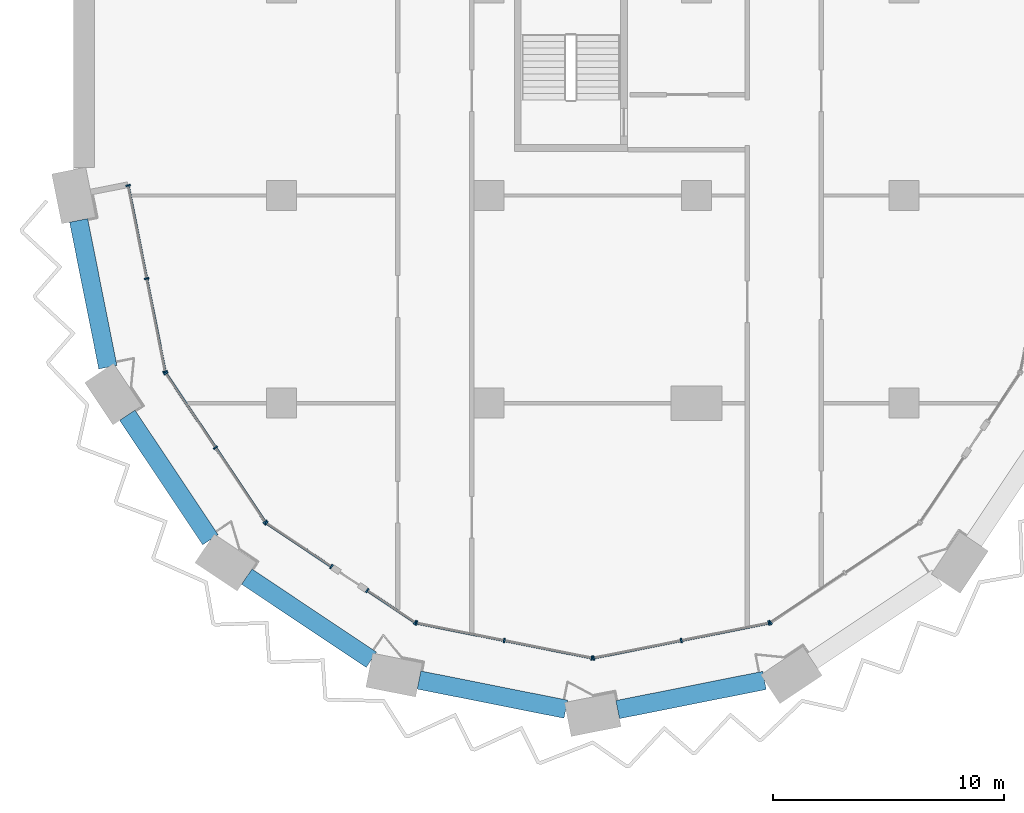
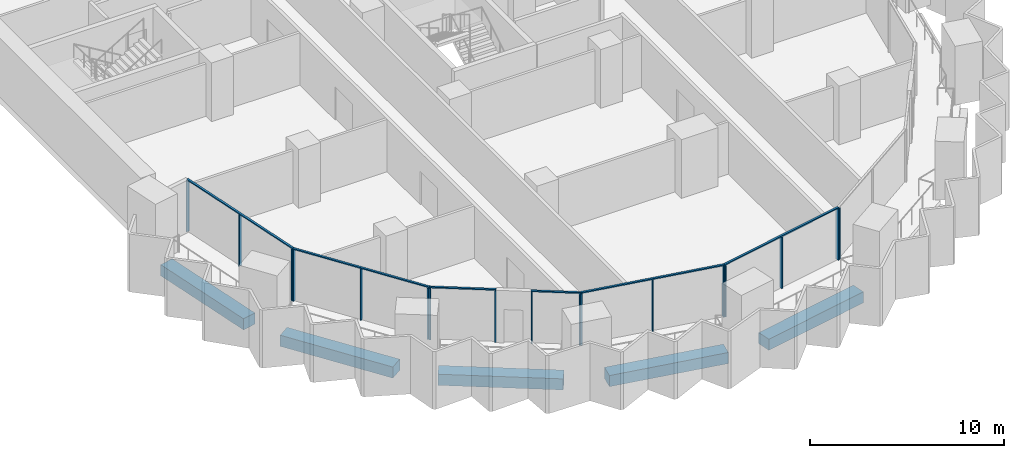
# One storey, part 2 of 22: 23 members, 5 beams, 7 elements without a shape of their own.
"""IFC4 building model written with IfcOpenShell, lengths in metres."""

from ifc_helpers import new_model, si_unit, direction, frame, origin, origin_2d, place, context, subcontext, project, spatial, rectangle, extrude, material, material_profile, profile_set, type_object, element, aggregate, save


model = new_model("IFC4")

# Units and contexts
model_context = context("Model", 3, precision=1e-05, world=origin(), true_north=direction((0.0, 1.0)))
body_context = subcontext(model_context, "Body", "Model", "MODEL_VIEW")
ifc_project = project(units=[si_unit("LENGTHUNIT", "METRE"), si_unit("AREAUNIT", "SQUARE_METRE"), si_unit("VOLUMEUNIT", "CUBIC_METRE"), si_unit("PLANEANGLEUNIT", "RADIAN"), si_unit("MASSUNIT", "GRAM", prefix="KILO")], contexts=[model_context])

# Site, building, storey
site_placement = place(None, origin())
site = spatial("IfcSite", under=ifc_project, at=site_placement, CompositionType="ELEMENT")
building_placement = place(site_placement, origin())
building = spatial("IfcBuilding", under=site, at=building_placement, Name="Hunhe Ridgeline Campus", CompositionType="ELEMENT")
storey_placement = place(building_placement, frame((0.0, 0.0, 114.39990234375)))
storey = spatial("IfcBuildingStorey", under=building, at=storey_placement, Name="L28", CompositionType="ELEMENT", Elevation=114.39990234375)

# Curtain wall, members
ifc_material_1 = material(Name="Aluminium 6063", Category="aluminium")
curtain_wall_type = type_object("IfcCurtainWallType", Name="Curtain wall CW-5", PredefinedType="NOTDEFINED", material=ifc_material_1)
curtain_wall_1_placement = place(storey_placement, origin())
curtain_wall_1 = element("IfcCurtainWall", 1, at=curtain_wall_1_placement, inside=storey, type_object=curtain_wall_type, Name="Curtain wall 01", PredefinedType="NOTDEFINED")
ifc_material_profile_1 = material_profile(ifc_material_1, rectangle(XDim=0.199951171875, YDim=0.070068359375, at=origin_2d()))
ifc_profile_set_1 = profile_set([ifc_material_profile_1], Name="Aluminium 6063")
member_type_1 = type_object("IfcMemberType", Name="CW-5 aluminium mullion", PredefinedType="MULLION", material=ifc_profile_set_1)
member_1_placement = place(storey_placement, frame((2.361572265625, 27.434326171875, 0.0), z_axis=(0.0, 0.0, 1.0), x_axis=(0.980784280831, 0.195095347137, 0.0)))
member_1 = element("IfcMember", 2, at=member_1_placement, type_object=member_type_1, Name="CW-5 mullion 1", PredefinedType="MULLION", context=body_context, shape_type="SweptSolid", body=[
    extrude(rectangle(XDim=0.199951171875, YDim=0.070068359375, at=origin_2d()), origin(), (0.0, 0.0, 1.0), 3.22998046875),
])
member_2_placement = place(storey_placement, frame((3.16455078125, 23.3974609375, 0.0), z_axis=(0.0, 0.0, 1.0), x_axis=(0.980784280831, 0.195095347137, 0.0)))
member_2 = element("IfcMember", 3, at=member_2_placement, type_object=member_type_1, Name="CW-5 mullion 2", PredefinedType="MULLION", context=body_context, shape_type="SweptSolid", body=[
    extrude(rectangle(XDim=0.199951171875, YDim=0.070068359375, at=origin_2d()), origin(), (0.0, 0.0, 1.0), 3.22998046875),
])
member_3_placement = place(storey_placement, frame((3.967529296875, 19.36083984375, 0.0), z_axis=(0.0, 0.0, 1.0), x_axis=(0.980784280831, 0.195095347137, 0.0)))
member_3 = element("IfcMember", 4, at=member_3_placement, type_object=member_type_1, Name="CW-5 mullion 3", PredefinedType="MULLION", context=body_context, shape_type="SweptSolid", body=[
    extrude(rectangle(XDim=0.199951171875, YDim=0.070068359375, at=origin_2d()), origin(), (0.0, 0.0, 1.0), 3.22998046875),
])

curtain_wall_2_placement = place(storey_placement, origin())
curtain_wall_2 = element("IfcCurtainWall", 5, at=curtain_wall_2_placement, inside=storey, type_object=curtain_wall_type, Name="Curtain wall 02", PredefinedType="NOTDEFINED")
member_4_placement = place(storey_placement, frame((3.993896484375, 19.29736328125, 0.0), z_axis=(0.0, 0.0, 1.0), x_axis=(0.831469584522, 0.555570274596, 0.0)))
member_4 = element("IfcMember", 6, at=member_4_placement, type_object=member_type_1, Name="CW-5 mullion 1", PredefinedType="MULLION", context=body_context, shape_type="SweptSolid", body=[
    extrude(rectangle(XDim=0.199951171875, YDim=0.070068359375, at=origin_2d()), origin(), (0.0, 0.0, 1.0), 3.22998046875),
])
member_5_placement = place(storey_placement, frame((6.147705078125, 16.07373046875, 0.0), z_axis=(0.0, 0.0, 1.0), x_axis=(0.831469584522, 0.555570274596, 0.0)))
member_5 = element("IfcMember", 7, at=member_5_placement, type_object=member_type_1, Name="CW-5 mullion 2", PredefinedType="MULLION", context=body_context, shape_type="SweptSolid", body=[
    extrude(rectangle(XDim=0.199951171875, YDim=0.070068359375, at=origin_2d()), origin(), (0.0, 0.0, 1.0), 3.22998046875),
])
member_6_placement = place(storey_placement, frame((8.3017578125, 12.850341796875, 0.0), z_axis=(0.0, 0.0, 1.0), x_axis=(0.831469584522, 0.555570274596, 0.0)))
member_6 = element("IfcMember", 8, at=member_6_placement, type_object=member_type_1, Name="CW-5 mullion 3", PredefinedType="MULLION", context=body_context, shape_type="SweptSolid", body=[
    extrude(rectangle(XDim=0.199951171875, YDim=0.070068359375, at=origin_2d()), origin(), (0.0, 0.0, 1.0), 3.22998046875),
])

curtain_wall_3_placement = place(storey_placement, origin())
curtain_wall_3 = element("IfcCurtainWall", 9, at=curtain_wall_3_placement, inside=storey, type_object=curtain_wall_type, Name="Curtain wall 03", PredefinedType="NOTDEFINED")
member_7_placement = place(storey_placement, frame((8.350341796875, 12.8017578125, 0.0), z_axis=(0.0, 0.0, 1.0), x_axis=(0.555570257501, 0.831469595944, 0.0)))
member_7 = element("IfcMember", 10, at=member_7_placement, type_object=member_type_1, Name="CW-5 mullion 1", PredefinedType="MULLION", context=body_context, shape_type="SweptSolid", body=[
    extrude(rectangle(XDim=0.199951171875, YDim=0.070068359375, at=origin_2d()), origin(), (0.0, 0.0, 1.0), 3.22998046875),
])
member_8_placement = place(storey_placement, frame((11.17041015625, 10.917236328125, 0.0), z_axis=(0.0, 0.0, 1.0), x_axis=(0.555570257501, 0.831469595944, 0.0)))
member_8 = element("IfcMember", 11, at=member_8_placement, type_object=member_type_1, Name="CW-5 mullion 2", PredefinedType="MULLION", context=body_context, shape_type="SweptSolid", body=[
    extrude(rectangle(XDim=0.199951171875, YDim=0.070068359375, at=origin_2d()), origin(), (0.0, 0.0, 1.0), 3.22998046875),
])

curtain_wall_4_placement = place(storey_placement, origin())
curtain_wall_4 = element("IfcCurtainWall", 12, at=curtain_wall_4_placement, inside=storey, type_object=curtain_wall_type, Name="Curtain wall 04", PredefinedType="NOTDEFINED")
member_9_placement = place(storey_placement, frame((12.725341796875, 9.87841796875, 0.0), z_axis=(0.0, 0.0, 1.0), x_axis=(0.555570385598, 0.831469510353, 0.0)))
member_9 = element("IfcMember", 13, at=member_9_placement, type_object=member_type_1, Name="CW-5 mullion 1", PredefinedType="MULLION", context=body_context, shape_type="SweptSolid", body=[
    extrude(rectangle(XDim=0.199951171875, YDim=0.070068359375, at=origin_2d()), origin(), (0.0, 0.0, 1.0), 3.22998046875),
])
member_10_placement = place(storey_placement, frame((14.79736328125, 8.493896484375, 0.0), z_axis=(0.0, 0.0, 1.0), x_axis=(0.555570385598, 0.831469510353, 0.0)))
member_10 = element("IfcMember", 14, at=member_10_placement, type_object=member_type_1, Name="CW-5 mullion 2", PredefinedType="MULLION", context=body_context, shape_type="SweptSolid", body=[
    extrude(rectangle(XDim=0.199951171875, YDim=0.070068359375, at=origin_2d()), origin(), (0.0, 0.0, 1.0), 3.22998046875),
])

curtain_wall_5_placement = place(storey_placement, origin())
curtain_wall_5 = element("IfcCurtainWall", 15, at=curtain_wall_5_placement, inside=storey, type_object=curtain_wall_type, Name="Curtain wall 05", PredefinedType="NOTDEFINED")
member_11_placement = place(storey_placement, frame((14.86083984375, 8.467529296875, 0.0), z_axis=(0.0, 0.0, 1.0), x_axis=(0.195090347539, 0.980785275326, 0.0)))
member_11 = element("IfcMember", 16, at=member_11_placement, type_object=member_type_1, Name="CW-5 mullion 1", PredefinedType="MULLION", context=body_context, shape_type="SweptSolid", body=[
    extrude(rectangle(XDim=0.199951171875, YDim=0.070068359375, at=origin_2d()), origin(), (0.0, 0.0, 1.0), 3.22998046875),
])
member_12_placement = place(storey_placement, frame((18.663330078125, 7.711181640625, 0.0), z_axis=(0.0, 0.0, 1.0), x_axis=(0.195090347539, 0.980785275326, 0.0)))
member_12 = element("IfcMember", 17, at=member_12_placement, type_object=member_type_1, Name="CW-5 mullion 2", PredefinedType="MULLION", context=body_context, shape_type="SweptSolid", body=[
    extrude(rectangle(XDim=0.199951171875, YDim=0.070068359375, at=origin_2d()), origin(), (0.0, 0.0, 1.0), 3.22998046875),
])
member_13_placement = place(storey_placement, frame((22.465576171875, 6.954833984375, 0.0), z_axis=(0.0, 0.0, 1.0), x_axis=(0.195090347539, 0.980785275326, 0.0)))
member_13 = element("IfcMember", 18, at=member_13_placement, type_object=member_type_1, Name="CW-5 mullion 3", PredefinedType="MULLION", context=body_context, shape_type="SweptSolid", body=[
    extrude(rectangle(XDim=0.199951171875, YDim=0.070068359375, at=origin_2d()), origin(), (0.0, 0.0, 1.0), 3.22998046875),
])

curtain_wall_6_placement = place(storey_placement, origin())
curtain_wall_6 = element("IfcCurtainWall", 19, at=curtain_wall_6_placement, inside=storey, type_object=curtain_wall_type, Name="Curtain wall 06", PredefinedType="NOTDEFINED")
member_14_placement = place(storey_placement, frame((22.534423828125, 6.954833984375, 0.0), z_axis=(0.0, 0.0, 1.0), x_axis=(-0.195090347539, 0.980785275326, 0.0)))
member_14 = element("IfcMember", 20, at=member_14_placement, type_object=member_type_1, Name="CW-5 mullion 1", PredefinedType="MULLION", context=body_context, shape_type="SweptSolid", body=[
    extrude(rectangle(XDim=0.199951171875, YDim=0.070068359375, at=origin_2d()), origin(), (0.0, 0.0, 1.0), 3.22998046875),
])
member_15_placement = place(storey_placement, frame((26.336669921875, 7.711181640625, 0.0), z_axis=(0.0, 0.0, 1.0), x_axis=(-0.195090347539, 0.980785275326, 0.0)))
member_15 = element("IfcMember", 21, at=member_15_placement, type_object=member_type_1, Name="CW-5 mullion 2", PredefinedType="MULLION", context=body_context, shape_type="SweptSolid", body=[
    extrude(rectangle(XDim=0.199951171875, YDim=0.070068359375, at=origin_2d()), origin(), (0.0, 0.0, 1.0), 3.22998046875),
])
member_16_placement = place(storey_placement, frame((30.13916015625, 8.467529296875, 0.0), z_axis=(0.0, 0.0, 1.0), x_axis=(-0.195090347539, 0.980785275326, 0.0)))
member_16 = element("IfcMember", 22, at=member_16_placement, type_object=member_type_1, Name="CW-5 mullion 3", PredefinedType="MULLION", context=body_context, shape_type="SweptSolid", body=[
    extrude(rectangle(XDim=0.199951171875, YDim=0.070068359375, at=origin_2d()), origin(), (0.0, 0.0, 1.0), 3.22998046875),
])

# Curtain wall, member
curtain_wall_7_placement = place(storey_placement, origin())
curtain_wall_7 = element("IfcCurtainWall", 23, at=curtain_wall_7_placement, inside=storey, type_object=curtain_wall_type, Name="Curtain wall 07", PredefinedType="NOTDEFINED")
member_17_placement = place(storey_placement, frame((30.20263671875, 8.493896484375, 0.0), z_axis=(0.0, 0.0, 1.0), x_axis=(-0.555570274596, 0.831469584522, 0.0)))
member_17 = element("IfcMember", 24, at=member_17_placement, type_object=member_type_1, Name="CW-5 mullion 1", PredefinedType="MULLION", context=body_context, shape_type="SweptSolid", body=[
    extrude(rectangle(XDim=0.199951171875, YDim=0.070068359375, at=origin_2d()), origin(), (0.0, 0.0, 1.0), 3.22998046875),
])
aggregate(curtain_wall_7, [member_17])

# Member
ifc_material_profile_2 = material_profile(ifc_material_1, rectangle(XDim=0.1201171875, YDim=0.070068359375, at=origin_2d()))
ifc_profile_set_2 = profile_set([ifc_material_profile_2], Name="Aluminium 6063")
member_type_2 = type_object("IfcMemberType", Name="CW-5 aluminium transom", PredefinedType="USERDEFINED", material=ifc_profile_set_2)
member_18_placement = place(storey_placement, frame((2.354736328125, 27.46875, 3.26513671875), z_axis=(0.195092405068, -0.980784866056, 0.0), x_axis=(0.980784866056, 0.195092405068, 0.0)))
member_18 = element("IfcMember", 25, at=member_18_placement, type_object=member_type_2, Name="CW-5 transom 1", ObjectType="TRANSOM", PredefinedType="USERDEFINED", context=body_context, shape_type="SweptSolid", body=[
    extrude(rectangle(XDim=0.1201171875, YDim=0.070068359375, at=origin_2d()), origin(), (0.0, 0.0, 1.0), 8.3017578125),
])

aggregate(curtain_wall_1, [member_18, member_1, member_2, member_3])

member_19_placement = place(storey_placement, frame((3.974365234375, 19.326416015625, 3.26513671875), z_axis=(0.5555640203, -0.831473763475, 0.0), x_axis=(0.831473763475, 0.5555640203, 0.0)))
member_19 = element("IfcMember", 26, at=member_19_placement, type_object=member_type_2, Name="CW-5 transom 1", ObjectType="TRANSOM", PredefinedType="USERDEFINED", context=body_context, shape_type="SweptSolid", body=[
    extrude(rectangle(XDim=0.1201171875, YDim=0.070068359375, at=origin_2d()), origin(), (0.0, 0.0, 1.0), 7.823974609375),
])

aggregate(curtain_wall_2, [member_19, member_4, member_5, member_6])

member_20_placement = place(storey_placement, frame((8.321044921875, 12.821044921875, 3.26513671875), z_axis=(0.831485714606, -0.555546133463, 0.0), x_axis=(0.555546133463, 0.831485714606, 0.0)))
member_20 = element("IfcMember", 27, at=member_20_placement, type_object=member_type_2, Name="CW-5 transom 1", ObjectType="TRANSOM", PredefinedType="USERDEFINED", context=body_context, shape_type="SweptSolid", body=[
    extrude(rectangle(XDim=0.1201171875, YDim=0.070068359375, at=origin_2d()), origin(), (0.0, 0.0, 1.0), 3.462158203125),
])

aggregate(curtain_wall_3, [member_20, member_7, member_8])

member_21_placement = place(storey_placement, frame((12.6962890625, 9.897705078125, 3.26513671875), z_axis=(0.831463388334, -0.555579547735, 0.0), x_axis=(0.555579547735, 0.831463388334, 0.0)))
member_21 = element("IfcMember", 28, at=member_21_placement, type_object=member_type_2, Name="CW-5 transom 1", ObjectType="TRANSOM", PredefinedType="USERDEFINED", context=body_context, shape_type="SweptSolid", body=[
    extrude(rectangle(XDim=0.1201171875, YDim=0.070068359375, at=origin_2d()), origin(), (0.0, 0.0, 1.0), 2.56201171875),
])

aggregate(curtain_wall_4, [member_21, member_9, member_10])

member_22_placement = place(storey_placement, frame((14.826416015625, 8.474365234375, 3.26513671875), z_axis=(0.980785367689, -0.195089883198, 0.0), x_axis=(0.195089883198, 0.980785367689, 0.0)))
member_22 = element("IfcMember", 29, at=member_22_placement, type_object=member_type_2, Name="CW-5 transom 1", ObjectType="TRANSOM", PredefinedType="USERDEFINED", context=body_context, shape_type="SweptSolid", body=[
    extrude(rectangle(XDim=0.1201171875, YDim=0.070068359375, at=origin_2d()), origin(), (0.0, 0.0, 1.0), 7.823974609375),
])

aggregate(curtain_wall_5, [member_22, member_11, member_12, member_13])

member_23_placement = place(storey_placement, frame((22.5, 6.947998046875, 3.26513671875), z_axis=(0.980785367689, 0.195089883198, 0.0), x_axis=(-0.195089883198, 0.980785367689, 0.0)))
member_23 = element("IfcMember", 30, at=member_23_placement, type_object=member_type_2, Name="CW-5 transom 1", ObjectType="TRANSOM", PredefinedType="USERDEFINED", context=body_context, shape_type="SweptSolid", body=[
    extrude(rectangle(XDim=0.1201171875, YDim=0.070068359375, at=origin_2d()), origin(), (0.0, 0.0, 1.0), 7.823974609375),
])

aggregate(curtain_wall_6, [member_23, member_14, member_15, member_16])

# Beams
ifc_material_2 = material(Name="Concrete C60", Category="concrete")
ifc_material_profile_3 = material_profile(ifc_material_2, rectangle(XDim=0.800048828125, YDim=0.699951171875, at=origin_2d()))
ifc_profile_set_3 = profile_set([ifc_material_profile_3], Name="Concrete C60")
beam_type = type_object("IfcBeamType", Name="RC spandrel beam 800x700 Concrete C60", PredefinedType="SPANDREL", material=ifc_profile_set_3)
for number, where, z_axis, x_axis, name in (
    (31, (0.214599609375, 25.921142578125, -0.599853515625), (0.195095759636, -0.980784198778, 0.0), (0.980784198778, 0.195095759636, 0.0), "Spandrel beam B1-1 L28"),
    (32, (2.32373046875, 17.47509765625, -0.599853515625), (0.555585540178, -0.831459384183, 0.0), (0.831459384183, 0.555585540178, 0.0), "Spandrel beam B1-2 L28"),
    (33, (7.504638671875, 10.47900390625, -0.599853515625), (0.831476765351, -0.555559527577, 0.0), (0.555559527577, 0.831476765351, 0.0), "Spandrel beam B1-3 L28"),
    (34, (14.968505859375, 5.998046875, -0.599853515625), (0.980784198778, -0.195095759636, 0.0), (0.195095759636, 0.980784198778, 0.0), "Spandrel beam B1-4 L28"),
    (35, (23.578857421875, 4.714599609375, -0.599853515625), (0.980784198778, 0.195095759636, 0.0), (-0.195095759636, 0.980784198778, 0.0), "Spandrel beam B1-5 L28"),
):
    element("IfcBeam", number, at=place(storey_placement, frame(where, z_axis=z_axis, x_axis=x_axis)), inside=storey, type_object=beam_type, Name=name, PredefinedType="SPANDREL", context=body_context, shape_type="SweptSolid", body=[
        extrude(rectangle(XDim=0.800048828125, YDim=0.699951171875, at=origin_2d()), origin(), (0.0, 0.0, 1.0), 6.488525390625),
    ])

save(model, "model.ifc")
